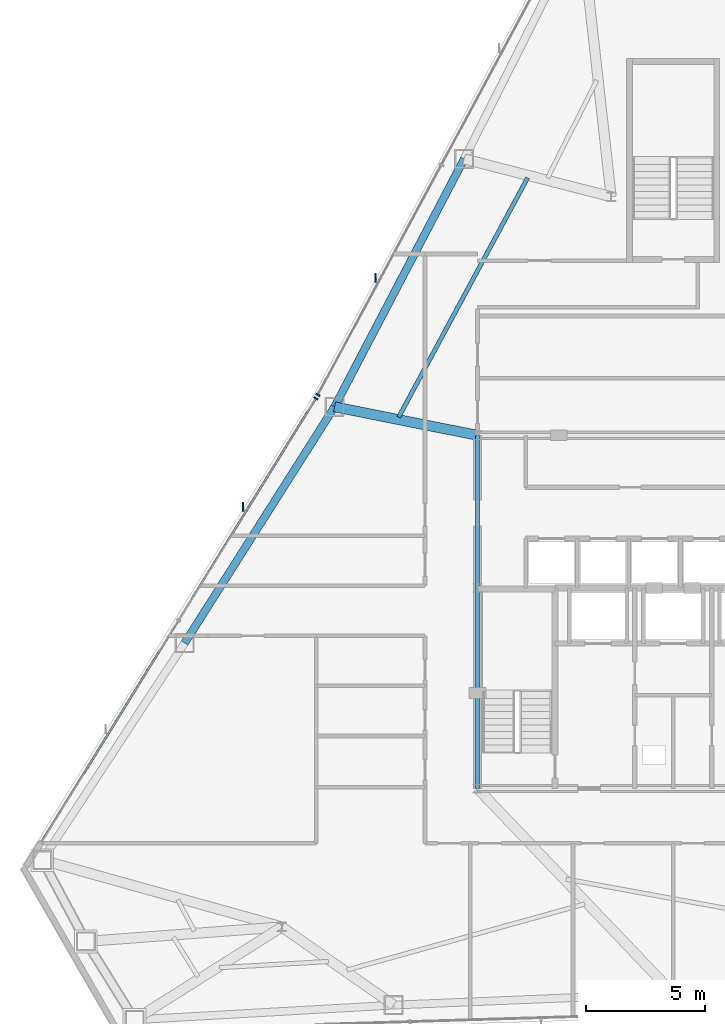
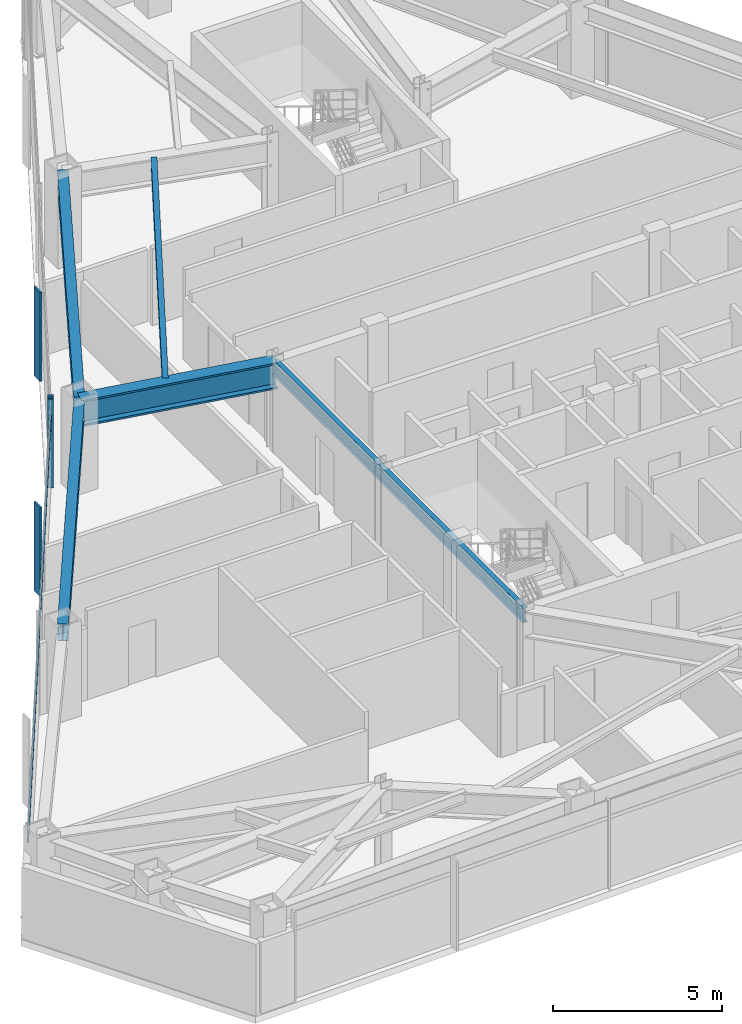
# One storey, part 5 of 13: 5 beams, 5 members, 2 elements without a shape of their own.
"""IFC4 building model written with IfcOpenShell, lengths in metres."""

from ifc_helpers import new_model, si_unit, direction, frame, origin, origin_2d, place, context, subcontext, project, spatial, rectangle, i_section, extrude, source, transform, mapped, material, layer, layer_set, material_profile, profile_set, type_object, type_shapes, element, aggregate, save


model = new_model("IFC4")

# Units and contexts
model_context = context("Model", 3, precision=1e-05, world=origin(), true_north=direction((0.0, 1.0)))
body_context = subcontext(model_context, "Body", "Model", "MODEL_VIEW")
ifc_project = project(units=[si_unit("LENGTHUNIT", "METRE"), si_unit("AREAUNIT", "SQUARE_METRE"), si_unit("VOLUMEUNIT", "CUBIC_METRE"), si_unit("PLANEANGLEUNIT", "RADIAN"), si_unit("MASSUNIT", "GRAM", prefix="KILO")], contexts=[model_context])

# Site, building, storey
site_placement = place(None, origin())
site = spatial("IfcSite", under=ifc_project, at=site_placement, CompositionType="ELEMENT")
building_placement = place(site_placement, origin())
building = spatial("IfcBuilding", under=site, at=building_placement, Name="Varakhsha Concourse Tower", CompositionType="ELEMENT")
storey_placement = place(building_placement, frame((0.0, 0.0, 162.0)))
storey = spatial("IfcBuildingStorey", under=building, at=storey_placement, Name="L46", CompositionType="ELEMENT", Elevation=162.0)

# Beams
ifc_material_1 = material(Name="Structural Steel ASTM A992 Grade 50", Category="steel")
ifc_material_profile_1 = material_profile(ifc_material_1, i_section(OverallWidth=0.177978515625, OverallDepth=0.406982421875, WebThickness=0.008056640625, FlangeThickness=0.012939453125, at=origin_2d()), Name="W16X40")
ifc_profile_set_1 = profile_set([ifc_material_profile_1], Name="Structural Steel ASTM A992 Grade 50")
beam_type_1 = type_object("IfcBeamType", Name="BM-JST-W16X40", PredefinedType="JOIST", material=ifc_profile_set_1)
beam_1_placement = place(storey_placement, frame((33.898681640625, 41.989501953125, 3.006591796875), z_axis=(-0.474404086138, -0.880307198117, 0.0), x_axis=(0.880307198117, -0.474404086138, 0.0)))
element("IfcBeam", 1, at=beam_1_placement, inside=storey, type_object=beam_type_1, Name="BM-TJST-L46-04", PredefinedType="JOIST", context=body_context, shape_type="SweptSolid", body=[
    extrude(i_section(OverallWidth=0.177978515625, OverallDepth=0.406982421875, WebThickness=0.008056640625, FlangeThickness=0.012939453125, at=origin_2d()), origin(), (0.0, 0.0, 1.0), 11.38720703125),
])
ifc_material_profile_2 = material_profile(ifc_material_1, i_section(OverallWidth=0.423095703125, OverallDepth=0.947998046875, WebThickness=0.0380859375, FlangeThickness=0.06396484375, at=origin_2d()), Name="W36X302")
ifc_profile_set_2 = profile_set([ifc_material_profile_2], Name="Structural Steel ASTM A992 Grade 50")
beam_type_2 = type_object("IfcBeamType", Name="BM-OUTR-W36X302", PredefinedType="USERDEFINED", material=ifc_profile_set_2)
beam_2_placement = place(storey_placement, frame((31.800048828125, 31.199951171875, 2.736083984375), z_axis=(-0.980724872564, 0.195393767391, 0.0), x_axis=(-0.195393767391, -0.980724872564, 0.0)))
element("IfcBeam", 2, at=beam_2_placement, inside=storey, type_object=beam_type_2, Name="L46 Radial Floor Girder 05", ObjectType="GIRDER", PredefinedType="USERDEFINED", context=body_context, shape_type="SweptSolid", body=[
    extrude(i_section(OverallWidth=0.423095703125, OverallDepth=0.947998046875, WebThickness=0.0380859375, FlangeThickness=0.06396484375, at=origin_2d()), origin(), (0.0, 0.0, 1.0), 6.10986328125),
])
ifc_material_profile_3 = material_profile(ifc_material_1, i_section(OverallWidth=0.1669921875, OverallDepth=0.534912109375, WebThickness=0.010009765625, FlangeThickness=0.01708984375, at=origin_2d()), Name="W21X57")
ifc_profile_set_3 = profile_set([ifc_material_profile_3], Name="Structural Steel ASTM A992 Grade 50")
beam_type_3 = type_object("IfcBeamType", Name="BM-RAD-W21X57", PredefinedType="BEAM", material=ifc_profile_set_3)
beam_3_placement = place(storey_placement, frame((31.800048828125, 16.39990234375, 2.9423828125), z_axis=(0.0, 1.0, 0.0), x_axis=(-1.0, 0.0, 0.0)))
element("IfcBeam", 3, at=beam_3_placement, inside=storey, type_object=beam_type_3, Name="BM-TCORE-L46-CW", PredefinedType="BEAM", context=body_context, shape_type="SweptSolid", body=[
    extrude(i_section(OverallWidth=0.1669921875, OverallDepth=0.534912109375, WebThickness=0.010009765625, FlangeThickness=0.01708984375, at=origin_2d()), origin(), (0.0, 0.0, 1.0), 14.800048828125),
])
ifc_material_profile_4 = material_profile(ifc_material_1, i_section(OverallWidth=0.323974609375, OverallDepth=0.611083984375, WebThickness=0.012939453125, FlangeThickness=0.01904296875, at=origin_2d()), Name="W24X104")
ifc_profile_set_4 = profile_set([ifc_material_profile_4], Name="Structural Steel ASTM A992 Grade 50")
beam_type_4 = type_object("IfcBeamType", Name="BM-SPAN-W24X104", PredefinedType="SPANDREL", material=ifc_profile_set_4)
beam_4_placement = place(storey_placement, frame((31.240966796875, 42.78271484375, 2.904541015625), z_axis=(-0.463424073091, -0.886136630819, 0.0), x_axis=(0.886136630819, -0.463424073091, 0.0)))
element("IfcBeam", 4, at=beam_4_placement, inside=storey, type_object=beam_type_4, Name="BM-SPAN-L46-04", PredefinedType="SPANDREL", context=body_context, shape_type="SweptSolid", body=[
    extrude(i_section(OverallWidth=0.323974609375, OverallDepth=0.611083984375, WebThickness=0.012939453125, FlangeThickness=0.01904296875, at=origin_2d()), origin(), (0.0, 0.0, 1.0), 11.723876953125),
])
beam_5_placement = place(storey_placement, frame((25.807861328125, 32.393798828125, 2.904541015625), z_axis=(-0.535714805069, -0.844398986043, 0.0), x_axis=(0.844398986043, -0.535714805069, 0.0)))
element("IfcBeam", 5, at=beam_5_placement, inside=storey, type_object=beam_type_4, Name="BM-SPAN-L46-05", PredefinedType="SPANDREL", context=body_context, shape_type="SweptSolid", body=[
    extrude(i_section(OverallWidth=0.323974609375, OverallDepth=0.611083984375, WebThickness=0.012939453125, FlangeThickness=0.01904296875, at=origin_2d()), origin(), (0.0, 0.0, 1.0), 11.7236328125),
])

# Curtain wall, member
ifc_material_2 = material(Name="Anodised Bronze Architectural Aluminium AA 6063-T6", Category="aluminium")
ifc_layer = layer(ifc_material_2, 0.2099609375, Name="CW-SYS-04")
ifc_layer_set = layer_set([ifc_layer], Name="Anodised Bronze Architectural Aluminium AA 6063-T6")
curtain_wall_type = type_object("IfcCurtainWallType", Name="CW-SYS-04", PredefinedType="NOTDEFINED", material=ifc_layer_set)
curtain_wall_1_placement = place(storey_placement, origin())
curtain_wall_1 = element("IfcCurtainWall", 6, at=curtain_wall_1_placement, inside=storey, type_object=curtain_wall_type, Name="L46 Crystal Curtain Wall F2", PredefinedType="NOTDEFINED")
ifc_material_profile_5 = material_profile(ifc_material_2, rectangle(XDim=0.06005859375, YDim=0.3798828125, at=origin_2d()), Name="FIN-BRZ-380")
ifc_profile_set_5 = profile_set([ifc_material_profile_5], Name="Anodised Bronze Architectural Aluminium AA 6063-T6")
member_type_1 = type_object("IfcMemberType", Name="FIN-BRZ-380", PredefinedType="USERDEFINED", material=ifc_profile_set_5)
shared_shape_1 = source(origin(), body_context, "Body", "SweptSolid", [
    extrude(rectangle(XDim=0.06005859375, YDim=0.3798828125, at=origin_2d()), origin(), (0.0, 0.0, 1.0), 3.2099609375),
])
type_shapes(member_type_1, [shared_shape_1])
member_1_placement = place(storey_placement, frame((27.519287109375, 37.810791015625, 0.0), z_axis=(0.0, 0.0, 1.0), x_axis=(1.0, 0.0, 0.0)))
member_1 = element("IfcMember", 7, at=member_1_placement, type_object=member_type_1, Name="L46 Anodised Bronze Solar Fin F2-1", ObjectType="SOLAR FIN", PredefinedType="USERDEFINED", context=body_context, shape_type="MappedRepresentation", body=[
    mapped(shared_shape_1, transform((0.0, 0.0, 0.0), scale=1.0)),
])

curtain_wall_2_placement = place(storey_placement, origin())
curtain_wall_2 = element("IfcCurtainWall", 8, at=curtain_wall_2_placement, inside=storey, type_object=curtain_wall_type, Name="L46 Crystal Curtain Wall F3", PredefinedType="NOTDEFINED")
member_2_placement = place(storey_placement, frame((21.97216796875, 28.203125, 0.0), z_axis=(0.0, 0.0, 1.0), x_axis=(1.0, 0.0, 0.0)))
member_2 = element("IfcMember", 9, at=member_2_placement, type_object=member_type_1, Name="L46 Anodised Bronze Solar Fin F3-2", ObjectType="SOLAR FIN", PredefinedType="USERDEFINED", context=body_context, shape_type="MappedRepresentation", body=[
    mapped(shared_shape_1, transform((0.0, 0.0, 0.0), scale=1.0)),
])

# Member
ifc_material_profile_6 = material_profile(ifc_material_2, rectangle(XDim=0.06494140625, YDim=0.179931640625, at=origin_2d()), Name="CWM-180X65")
ifc_profile_set_6 = profile_set([ifc_material_profile_6], Name="Anodised Bronze Architectural Aluminium AA 6063-T6")
member_type_2 = type_object("IfcMemberType", Name="CWM-180X65", PredefinedType="MULLION", material=ifc_profile_set_6)
shared_shape_2 = source(origin(), body_context, "Body", "SweptSolid", [
    extrude(rectangle(XDim=0.06494140625, YDim=0.179931640625, at=origin_2d()), origin(), (0.0, 0.0, 1.0), 3.2099609375),
])
type_shapes(member_type_2, [shared_shape_2])
member_3_placement = place(storey_placement, frame((25.110107421875, 32.89453125, 0.0), z_axis=(0.0, 0.0, 1.0), x_axis=(0.473336578986, 0.880881650958, 0.0)))
member_3 = element("IfcMember", 10, at=member_3_placement, type_object=member_type_2, Name="CW-L46-F2 Mullion 00", PredefinedType="MULLION", context=body_context, shape_type="MappedRepresentation", body=[
    mapped(shared_shape_2, transform((0.0, 0.0, 0.0), scale=1.0)),
])

aggregate(curtain_wall_1, [member_3, member_1])

member_4_placement = place(storey_placement, frame((25.025390625, 32.74755859375, 0.0), z_axis=(0.0, 0.0, 1.0), x_axis=(0.526199082126, 0.850361409032, 0.0)))
member_4 = element("IfcMember", 11, at=member_4_placement, type_object=member_type_2, Name="CW-L46-F3 Mullion 02", PredefinedType="MULLION", context=body_context, shape_type="MappedRepresentation", body=[
    mapped(shared_shape_2, transform((0.0, 0.0, 0.0), scale=1.0)),
])

ifc_material_profile_7 = material_profile(ifc_material_2, rectangle(XDim=0.06005859375, YDim=0.139892578125, at=origin_2d()), Name="CWT-140X60")
ifc_profile_set_7 = profile_set([ifc_material_profile_7], Name="Anodised Bronze Architectural Aluminium AA 6063-T6")
member_type_3 = type_object("IfcMemberType", Name="CWT-140X60", PredefinedType="USERDEFINED", material=ifc_profile_set_7)
shared_shape_3 = source(origin(), body_context, "Body", "SweptSolid", [
    extrude(rectangle(XDim=0.06005859375, YDim=0.139892578125, at=origin_2d()), origin(), (0.0, 0.0, 1.0), 21.884033203125),
])
type_shapes(member_type_3, [shared_shape_3])
member_5_placement = place(storey_placement, frame((13.510009765625, 14.13818359375, 2.56005859375), z_axis=(0.526199060722, 0.850361422276, 0.0), x_axis=(-0.850361422276, 0.526199060722, 0.0)))
member_5 = element("IfcMember", 12, at=member_5_placement, type_object=member_type_3, Name="CW-L46-F3 Transom 01", ObjectType="TRANSOM", PredefinedType="USERDEFINED", context=body_context, shape_type="MappedRepresentation", body=[
    mapped(shared_shape_3, transform((0.0, 0.0, 0.0), scale=1.0)),
])

aggregate(curtain_wall_2, [member_4, member_5, member_2])

save(model, "model.ifc")
